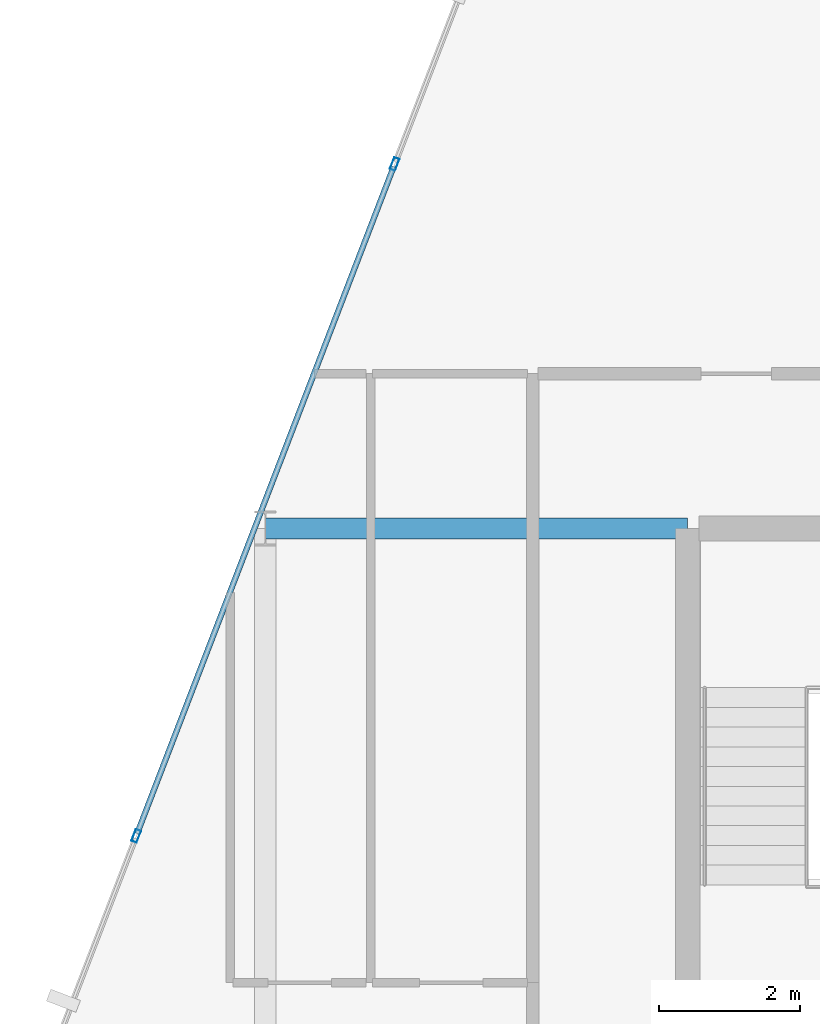
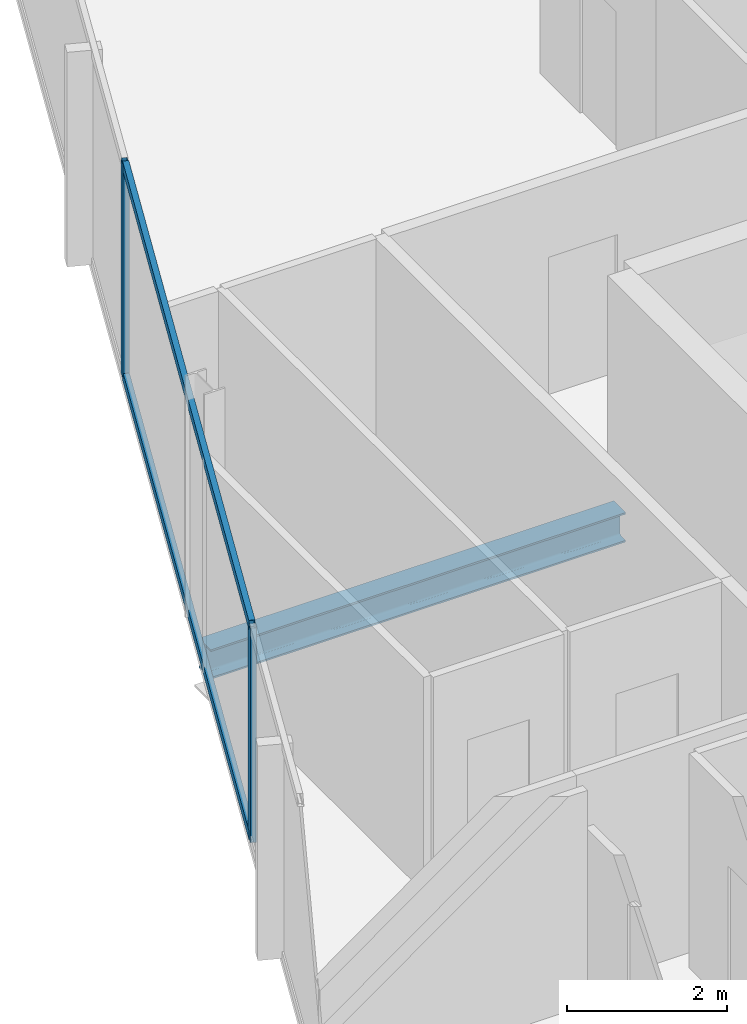
# One storey, part 15 of 31: 4 members, 1 beam, 1 element without a shape of its own.
"""IFC4 building model written with IfcOpenShell, lengths in metres."""

from ifc_helpers import new_model, si_unit, direction, frame, origin, origin_2d, place, context, subcontext, project, spatial, hollow_rectangle, i_section, extrude, material, layer, layer_set, material_profile, profile_set, type_object, element, aggregate, save


model = new_model("IFC4")

# Units and contexts
model_context = context("Model", 3, precision=1e-05, world=origin(), true_north=direction((0.0, 1.0)))
body_context = subcontext(model_context, "Body", "Model", "MODEL_VIEW")
ifc_project = project(units=[si_unit("LENGTHUNIT", "METRE"), si_unit("AREAUNIT", "SQUARE_METRE"), si_unit("VOLUMEUNIT", "CUBIC_METRE"), si_unit("PLANEANGLEUNIT", "RADIAN"), si_unit("MASSUNIT", "GRAM", prefix="KILO")], contexts=[model_context])

# Site, building, storey
site_placement = place(None, origin())
site = spatial("IfcSite", under=ifc_project, at=site_placement, CompositionType="ELEMENT")
building_placement = place(site_placement, origin())
building = spatial("IfcBuilding", under=site, at=building_placement, Name="Keshet Zoharim Tower", CompositionType="ELEMENT")
storey_placement = place(building_placement, frame((0.0, 0.0, 155.699951171875)))
storey = spatial("IfcBuildingStorey", under=building, at=storey_placement, Name="L38", CompositionType="ELEMENT", Elevation=155.699951171875)

# Beam
ifc_material_1 = material(Name="Steel S355", Category="steel")
ifc_material_profile_1 = material_profile(ifc_material_1, i_section(OverallWidth=0.300048828125, OverallDepth=0.449951171875, WebThickness=0.013916015625, FlangeThickness=0.02587890625, FilletRadius=0.027099609375, at=origin_2d()), Name="HEB450")
ifc_profile_set_1 = profile_set([ifc_material_profile_1], Name="Steel S355")
beam_type = type_object("IfcBeamType", Name="BM-WEB-HB450", PredefinedType="BEAM", material=ifc_profile_set_1)
beam_placement = place(storey_placement, frame((9.0, 37.89990234375, -0.5400390625), z_axis=(1.0, 0.0, 0.0), x_axis=(0.0, 1.0, 0.0)))
element("IfcBeam", 1, at=beam_placement, inside=storey, type_object=beam_type, Name="L38 Primary Girder X-018", PredefinedType="BEAM", context=body_context, shape_type="SweptSolid", body=[
    extrude(i_section(OverallWidth=0.300048828125, OverallDepth=0.449951171875, WebThickness=0.013916015625, FlangeThickness=0.02587890625, FilletRadius=0.027099609375, at=origin_2d()), origin(), (0.0, 0.0, 1.0), 6.0),
])

# Curtain wall, members
ifc_material_2 = material(Name="Aluminium 6063-T6", Category="aluminium")
ifc_layer = layer(ifc_material_2, 0.159912109375)
ifc_layer_set = layer_set([ifc_layer], Name="Aluminium 6063-T6")
curtain_wall_type = type_object("IfcCurtainWallType", Name="CW-SYS-03", PredefinedType="NOTDEFINED", material=ifc_layer_set)
curtain_wall_placement = place(storey_placement, origin())
curtain_wall = element("IfcCurtainWall", 2, at=curtain_wall_placement, inside=storey, type_object=curtain_wall_type, Name="L38 Unitised Curtain Wall 10", PredefinedType="NOTDEFINED")
ifc_material_profile_2 = material_profile(ifc_material_2, hollow_rectangle(XDim=0.080078125, YDim=0.179931640625, WallThickness=0.00439453125, at=origin_2d()), Name="MUL-80x180")
ifc_profile_set_2 = profile_set([ifc_material_profile_2], Name="Aluminium 6063-T6")
member_type_1 = type_object("IfcMemberType", Name="CWM-M18", PredefinedType="MULLION", material=ifc_profile_set_2)
member_1_placement = place(storey_placement, frame((7.1669921875, 33.53466796875, 0.0), z_axis=(0.0, 0.0, 1.0), x_axis=(-0.933341404361, 0.358990003907, 0.0)))
member_1 = element("IfcMember", 3, at=member_1_placement, type_object=member_type_1, Name="CW-03 mullion 2", PredefinedType="MULLION", context=body_context, shape_type="SweptSolid", body=[
    extrude(hollow_rectangle(XDim=0.080078125, YDim=0.179931640625, WallThickness=0.00439453125, at=origin_2d()), origin(), (0.0, 0.0, 1.0), 3.280029296875),
])
member_2_placement = place(storey_placement, frame((10.8369140625, 43.076416015625, 0.0), z_axis=(0.0, 0.0, 1.0), x_axis=(-0.933341404361, 0.358990003907, 0.0)))
member_2 = element("IfcMember", 4, at=member_2_placement, type_object=member_type_1, Name="CW-03 mullion 3", PredefinedType="MULLION", context=body_context, shape_type="SweptSolid", body=[
    extrude(hollow_rectangle(XDim=0.080078125, YDim=0.179931640625, WallThickness=0.00439453125, at=origin_2d()), origin(), (0.0, 0.0, 1.0), 3.280029296875),
])
ifc_material_profile_3 = material_profile(ifc_material_2, hollow_rectangle(XDim=0.080078125, YDim=0.139892578125, WallThickness=0.00390625, at=origin_2d()), Name="TRN-80x140")
ifc_profile_set_3 = profile_set([ifc_material_profile_3], Name="Aluminium 6063-T6")
member_type_2 = type_object("IfcMemberType", Name="CWT-T14", PredefinedType="USERDEFINED", material=ifc_profile_set_3)
member_3_placement = place(storey_placement, frame((7.179443359375, 33.5673828125, 0.03515625), z_axis=(0.359003248899, 0.933336309848, 0.0), x_axis=(-0.933336309848, 0.359003248899, 0.0)))
member_3 = element("IfcMember", 5, at=member_3_placement, type_object=member_type_2, Name="CW-03 transom 2.1", ObjectType="TRANSOM", PredefinedType="USERDEFINED", context=body_context, shape_type="SweptSolid", body=[
    extrude(hollow_rectangle(XDim=0.080078125, YDim=0.139892578125, WallThickness=0.00390625, at=origin_2d()), origin(), (0.0, 0.0, 1.0), 10.153076171875),
])
member_4_placement = place(storey_placement, frame((7.179443359375, 33.5673828125, 3.2451171875), z_axis=(0.359003248899, 0.933336309848, 0.0), x_axis=(-0.933336309848, 0.359003248899, 0.0)))
member_4 = element("IfcMember", 6, at=member_4_placement, type_object=member_type_2, Name="CW-03 transom 2.2", ObjectType="TRANSOM", PredefinedType="USERDEFINED", context=body_context, shape_type="SweptSolid", body=[
    extrude(hollow_rectangle(XDim=0.080078125, YDim=0.139892578125, WallThickness=0.00390625, at=origin_2d()), origin(), (0.0, 0.0, 1.0), 10.153076171875),
])
aggregate(curtain_wall, [member_1, member_2, member_3, member_4])

save(model, "model.ifc")
